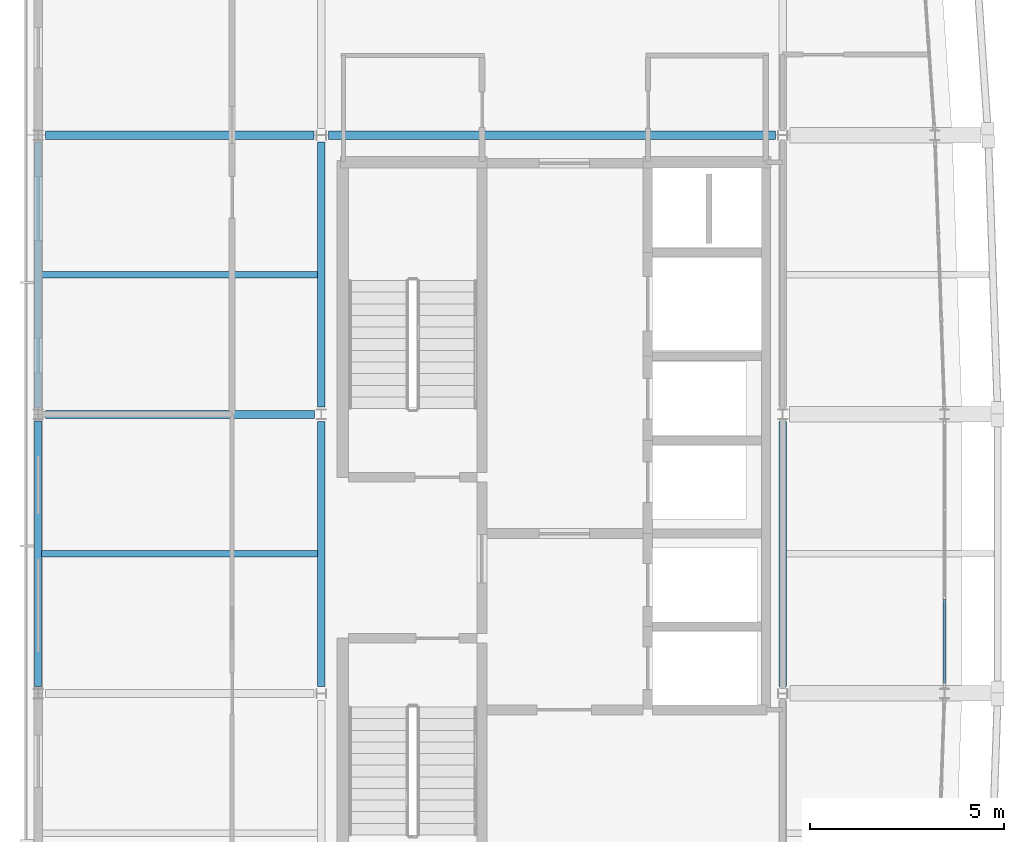
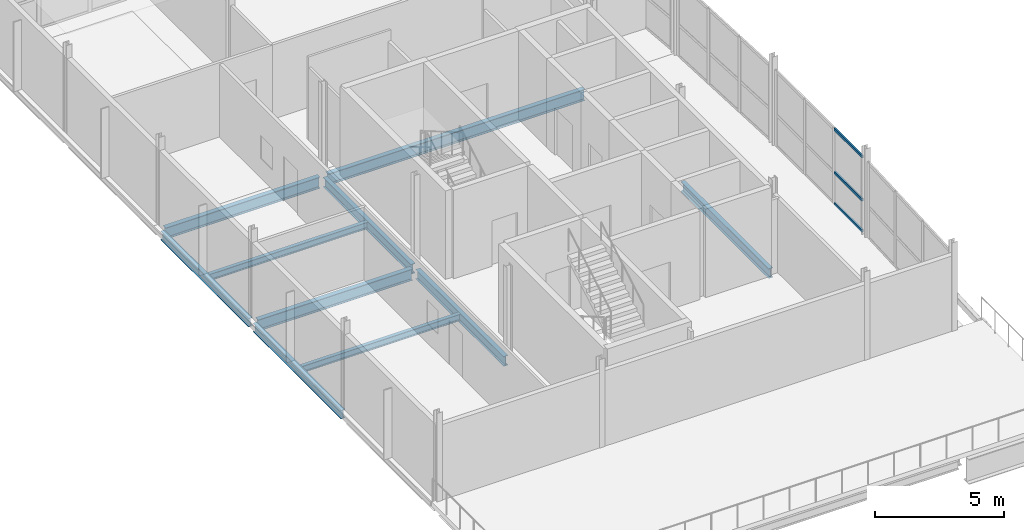
# One storey, part 5 of 17: 10 beams, 3 members, 1 element without a shape of its own.
"""IFC4 building model written with IfcOpenShell, lengths in metres."""

from ifc_helpers import new_model, si_unit, direction, frame, origin, origin_2d, place, context, subcontext, project, spatial, hollow_rectangle, i_section, extrude, material, layer, layer_set, material_profile, profile_set, type_object, element, aggregate, save


model = new_model("IFC4")

# Units and contexts
model_context = context("Model", 3, precision=1e-05, world=origin(), true_north=direction((0.0, 1.0)))
body_context = subcontext(model_context, "Body", "Model", "MODEL_VIEW")
ifc_project = project(units=[si_unit("LENGTHUNIT", "METRE"), si_unit("AREAUNIT", "SQUARE_METRE"), si_unit("VOLUMEUNIT", "CUBIC_METRE"), si_unit("PLANEANGLEUNIT", "RADIAN"), si_unit("MASSUNIT", "GRAM", prefix="KILO")], contexts=[model_context])

# Site, building, storey
site_placement = place(None, origin())
site = spatial("IfcSite", under=ifc_project, at=site_placement, CompositionType="ELEMENT")
building_placement = place(site_placement, origin())
building = spatial("IfcBuilding", under=site, at=building_placement, Name="Quillay Park Conservatory", CompositionType="ELEMENT")
storey_placement = place(building_placement, frame((0.0, 0.0, 60.300048828125)))
storey = spatial("IfcBuildingStorey", under=building, at=storey_placement, Name="L14", CompositionType="ELEMENT", Elevation=60.300048828125)

# Beams
ifc_material_1 = material(Name="Steel ASTM A992 Grade 50", Category="steel")
ifc_material_profile_1 = material_profile(ifc_material_1, i_section(OverallWidth=0.166015625, OverallDepth=0.31298828125, WebThickness=0.006591796875, FlangeThickness=0.01123046875, FilletRadius=0.010009765625, at=origin_2d()), Name="W310x45")
ifc_profile_set_1 = profile_set([ifc_material_profile_1], Name="Steel ASTM A992 Grade 50")
beam_type_1 = type_object("IfcBeamType", Name="COMPOSITE FLOOR JOIST W310 X45", PredefinedType="JOIST", material=ifc_profile_set_1)
for number, where, z_axis, x_axis, name in (
    (1, (0.639892578125, 88.800048828125, -0.37158203125), (1.0, 0.0, 0.0), (0.0, 1.0, 0.0), "L14 beam BM-J-0978"),
    (2, (0.639892578125, 96.0, -0.37158203125), (1.0, 0.0, 0.0), (0.0, 1.0, 0.0), "L14 beam BM-J-0984"),
):
    element("IfcBeam", number, at=place(storey_placement, frame(where, z_axis=z_axis, x_axis=x_axis)), inside=storey, type_object=beam_type_1, Name=name, PredefinedType="JOIST", context=body_context, shape_type="SweptSolid", body=[
        extrude(i_section(OverallWidth=0.166015625, OverallDepth=0.31298828125, WebThickness=0.006591796875, FlangeThickness=0.01123046875, FilletRadius=0.010009765625, at=origin_2d()), origin(), (0.0, 0.0, 1.0), 7.114013671875),
    ])

# Curtain wall, members
ifc_material_2 = material(Name="Thermally Broken Anodised Aluminium 6063-T6", Category="aluminium")
ifc_layer = layer(ifc_material_2, 0.179931640625)
ifc_layer_set = layer_set([ifc_layer], Name="UNITISED CURTAIN WALL TOWER (Thermally Broken Anodised Aluminium 6063-T6)")
curtain_wall_type = type_object("IfcCurtainWallType", Name="UNITISED CURTAIN WALL TOWER", PredefinedType="USERDEFINED", material=ifc_layer_set)
curtain_wall_placement = place(storey_placement, origin())
curtain_wall = element("IfcCurtainWall", 3, at=curtain_wall_placement, inside=storey, type_object=curtain_wall_type, Name="L14 Unitised Curtain Wall 132", ObjectType="UNITISED CURTAIN WALL", PredefinedType="USERDEFINED")
ifc_material_3 = material(Name="Thermally Broken Anodised Aluminium 6063-T6", Category="aluminium")
ifc_material_profile_2 = material_profile(ifc_material_3, hollow_rectangle(XDim=0.070068359375, YDim=0.1298828125, WallThickness=0.003173828125, at=origin_2d()), Name="AL70x130x3.2")
ifc_profile_set_2 = profile_set([ifc_material_profile_2], Name="Thermally Broken Anodised Aluminium 6063-T6")
member_type = type_object("IfcMemberType", Name="CURTAIN WALL TRANSOM 70 X130", PredefinedType="USERDEFINED", material=ifc_profile_set_2)
member_1_placement = place(storey_placement, frame((23.925048828125, 87.631591796875, 0.034912109375), z_axis=(0.0, -1.0, 0.0), x_axis=(1.0, 0.0, 0.0)))
member_1 = element("IfcMember", 4, at=member_1_placement, type_object=member_type, Name="CW-T1 transom 3.1", ObjectType="TRANSOM", PredefinedType="USERDEFINED", context=body_context, shape_type="SweptSolid", body=[
    extrude(hollow_rectangle(XDim=0.070068359375, YDim=0.1298828125, WallThickness=0.003173828125, at=origin_2d()), origin(), (0.0, 0.0, 1.0), 2.16162109375),
])
member_2_placement = place(storey_placement, frame((23.925048828125, 87.631591796875, 1.511474609375), z_axis=(0.0, -1.0, 0.0), x_axis=(1.0, 0.0, 0.0)))
member_2 = element("IfcMember", 5, at=member_2_placement, type_object=member_type, Name="CW-T1 transom 3.2", ObjectType="TRANSOM", PredefinedType="USERDEFINED", context=body_context, shape_type="SweptSolid", body=[
    extrude(hollow_rectangle(XDim=0.070068359375, YDim=0.1298828125, WallThickness=0.003173828125, at=origin_2d()), origin(), (0.0, 0.0, 1.0), 2.16162109375),
])
member_3_placement = place(storey_placement, frame((23.925048828125, 87.631591796875, 3.56396484375), z_axis=(0.0, -1.0, 0.0), x_axis=(1.0, 0.0, 0.0)))
member_3 = element("IfcMember", 6, at=member_3_placement, type_object=member_type, Name="CW-T1 transom 3.3", ObjectType="TRANSOM", PredefinedType="USERDEFINED", context=body_context, shape_type="SweptSolid", body=[
    extrude(hollow_rectangle(XDim=0.070068359375, YDim=0.1298828125, WallThickness=0.003173828125, at=origin_2d()), origin(), (0.0, 0.0, 1.0), 2.16162109375),
])
aggregate(curtain_wall, [member_1, member_2, member_3])

# Beams
ifc_material_4 = material(Name="Steel ASTM A992 Grade 50", Category="steel")
ifc_material_profile_3 = material_profile(ifc_material_4, i_section(OverallWidth=0.179931640625, OverallDepth=0.4130859375, WebThickness=0.009765625, FlangeThickness=0.01611328125, FilletRadius=0.011962890625, at=origin_2d()), Name="W410x74")
ifc_profile_set_3 = profile_set([ifc_material_profile_3], Name="Steel ASTM A992 Grade 50")
beam_type_2 = type_object("IfcBeamType", Name="PERIMETER SPANDREL BEAM W410 X74", PredefinedType="SPANDREL", material=ifc_profile_set_3)
beam_1_placement = place(storey_placement, frame((0.550048828125, 85.3779296875, -0.421630859375), z_axis=(0.0, 1.0, 0.0), x_axis=(-1.0, 0.0, 0.0)))
element("IfcBeam", 7, at=beam_1_placement, inside=storey, type_object=beam_type_2, Name="L14 beam BM-SPW-0974", PredefinedType="SPANDREL", context=body_context, shape_type="SweptSolid", body=[
    extrude(i_section(OverallWidth=0.179931640625, OverallDepth=0.4130859375, WebThickness=0.009765625, FlangeThickness=0.01611328125, FilletRadius=0.011962890625, at=origin_2d()), origin(), (0.0, 0.0, 1.0), 6.843994140625),
])
beam_2_placement = place(storey_placement, frame((0.550048828125, 92.577880859375, -0.421630859375), z_axis=(0.0, 1.0, 0.0), x_axis=(-1.0, 0.0, 0.0)))
element("IfcBeam", 8, at=beam_2_placement, inside=storey, type_object=beam_type_2, Name="L14 beam BM-SPW-0980", PredefinedType="SPANDREL", context=body_context, shape_type="SweptSolid", body=[
    extrude(i_section(OverallWidth=0.179931640625, OverallDepth=0.4130859375, WebThickness=0.009765625, FlangeThickness=0.01611328125, FilletRadius=0.011962890625, at=origin_2d()), origin(), (0.0, 0.0, 1.0), 6.84423828125),
])
ifc_material_5 = material(Name="Steel ASTM A992 Grade 50", Category="steel")
ifc_material_profile_4 = material_profile(ifc_material_5, i_section(OverallWidth=0.19189453125, OverallDepth=0.462890625, WebThickness=0.010498046875, FlangeThickness=0.017578125, FilletRadius=0.012939453125, at=origin_2d()), Name="W460x89")
ifc_profile_set_4 = profile_set([ifc_material_profile_4], Name="Steel ASTM A992 Grade 50")
beam_type_3 = type_object("IfcBeamType", Name="PRIMARY FLOOR GIRDER W460 X89", PredefinedType="BEAM", material=ifc_profile_set_4)
for number, where, z_axis, x_axis, name in (
    (9, (7.85009765625, 85.3779296875, -0.446533203125), (0.0, 1.0, 0.0), (-1.0, 0.0, 0.0), "L14 beam BM-GNS-0976"),
    (10, (19.75, 85.3779296875, -0.446533203125), (0.0, 1.0, 0.0), (-1.0, 0.0, 0.0), "L14 beam BM-GNS-0977"),
    (11, (7.85009765625, 92.58447265625, -0.446533203125), (0.0, 1.0, 0.0), (-1.0, 0.0, 0.0), "L14 beam BM-GNS-0982"),
):
    element("IfcBeam", number, at=place(storey_placement, frame(where, z_axis=z_axis, x_axis=x_axis)), inside=storey, type_object=beam_type_3, Name=name, PredefinedType="BEAM", context=body_context, shape_type="SweptSolid", body=[
        extrude(i_section(OverallWidth=0.19189453125, OverallDepth=0.462890625, WebThickness=0.010498046875, FlangeThickness=0.017578125, FilletRadius=0.012939453125, at=origin_2d()), origin(), (0.0, 0.0, 1.0), 6.837646484375),
    ])
ifc_material_6 = material(Name="Steel ASTM A992 Grade 50", Category="steel")
ifc_material_profile_5 = material_profile(ifc_material_6, i_section(OverallWidth=0.2109375, OverallDepth=0.5390625, WebThickness=0.01171875, FlangeThickness=0.018798828125, FilletRadius=0.013916015625, at=origin_2d()), Name="W530x109")
ifc_profile_set_5 = profile_set([ifc_material_profile_5], Name="Steel ASTM A992 Grade 50")
beam_type_4 = type_object("IfcBeamType", Name="PRIMARY FLOOR GIRDER W530 X109", PredefinedType="BEAM", material=ifc_profile_set_5)
beam_3_placement = place(storey_placement, frame((0.734619140625, 92.39990234375, -0.484619140625), z_axis=(1.0, 0.0, 0.0), x_axis=(0.0, 1.0, 0.0)))
element("IfcBeam", 12, at=beam_3_placement, inside=storey, type_object=beam_type_4, Name="L14 beam BM-G-0950", PredefinedType="BEAM", context=body_context, shape_type="SweptSolid", body=[
    extrude(i_section(OverallWidth=0.2109375, OverallDepth=0.5390625, WebThickness=0.01171875, FlangeThickness=0.018798828125, FilletRadius=0.013916015625, at=origin_2d()), origin(), (0.0, 0.0, 1.0), 6.9375),
])
beam_4_placement = place(storey_placement, frame((0.734619140625, 99.60009765625, -0.484619140625), z_axis=(1.0, 0.0, 0.0), x_axis=(0.0, 1.0, 0.0)))
element("IfcBeam", 13, at=beam_4_placement, inside=storey, type_object=beam_type_4, Name="L14 beam BM-G-0952", PredefinedType="BEAM", context=body_context, shape_type="SweptSolid", body=[
    extrude(i_section(OverallWidth=0.2109375, OverallDepth=0.5390625, WebThickness=0.01171875, FlangeThickness=0.018798828125, FilletRadius=0.013916015625, at=origin_2d()), origin(), (0.0, 0.0, 1.0), 6.930908203125),
])
beam_5_placement = place(storey_placement, frame((8.034423828125, 99.60009765625, -0.484619140625), z_axis=(1.0, 0.0, 0.0), x_axis=(0.0, 1.0, 0.0)))
element("IfcBeam", 14, at=beam_5_placement, inside=storey, type_object=beam_type_4, Name="L14 beam BM-G-0953", PredefinedType="BEAM", context=body_context, shape_type="SweptSolid", body=[
    extrude(i_section(OverallWidth=0.2109375, OverallDepth=0.5390625, WebThickness=0.01171875, FlangeThickness=0.018798828125, FilletRadius=0.013916015625, at=origin_2d()), origin(), (0.0, 0.0, 1.0), 11.531005859375),
])

save(model, "model.ifc")
